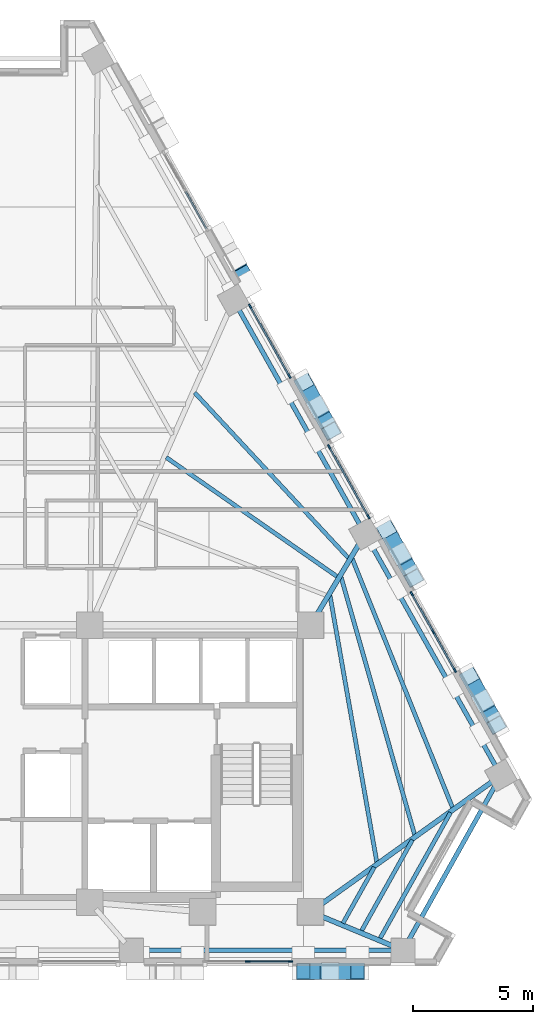
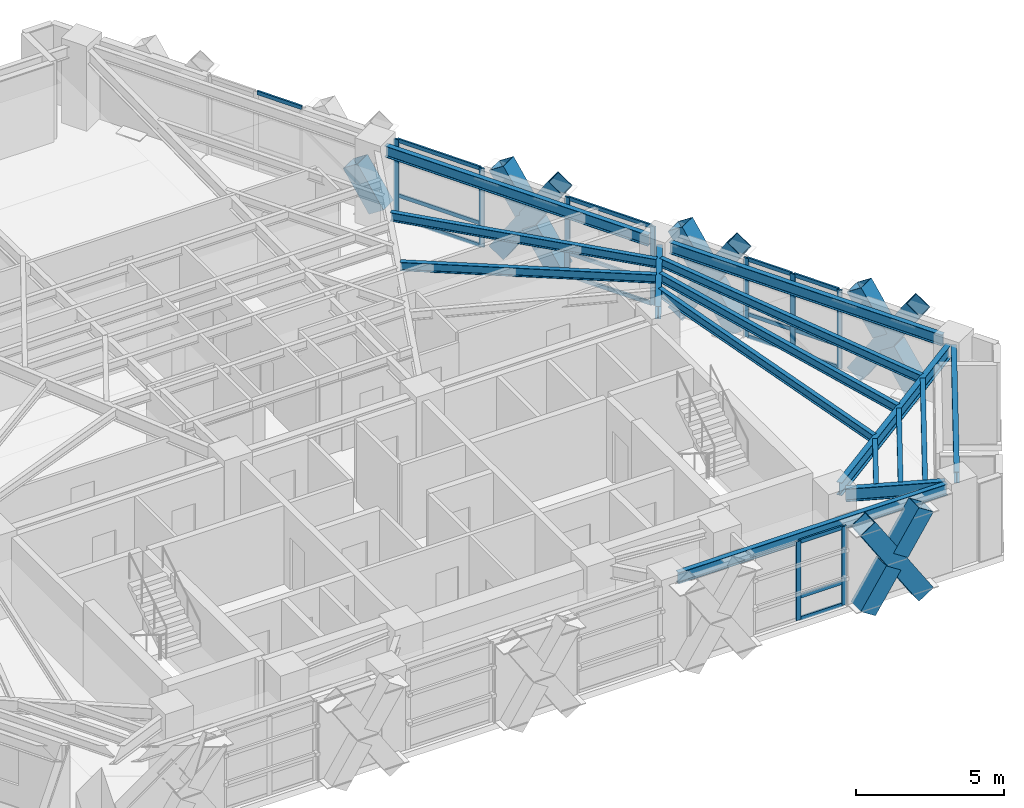
# One storey, part 4 of 14: 38 members, 15 beams, 5 elements without a shape of their own.
"""IFC4 building model written with IfcOpenShell, lengths in metres."""

from ifc_helpers import new_model, si_unit, direction, frame, origin, origin_2d, place, context, subcontext, project, spatial, rectangle, hollow_rectangle, i_section, extrude, material, material_profile, profile_set, type_object, element, aggregate, save


model = new_model("IFC4")

# Units and contexts
model_context = context("Model", 3, precision=1e-05, world=origin(), true_north=direction((0.0, 1.0)))
body_context = subcontext(model_context, "Body", "Model", "MODEL_VIEW")
ifc_project = project(units=[si_unit("LENGTHUNIT", "METRE"), si_unit("AREAUNIT", "SQUARE_METRE"), si_unit("VOLUMEUNIT", "CUBIC_METRE"), si_unit("PLANEANGLEUNIT", "RADIAN"), si_unit("MASSUNIT", "GRAM", prefix="KILO")], contexts=[model_context])

# Site, building, storey
site_placement = place(None, origin())
site = spatial("IfcSite", under=ifc_project, at=site_placement, CompositionType="ELEMENT")
building_placement = place(site_placement, origin())
building = spatial("IfcBuilding", under=site, at=building_placement, Name="Quenlor Broadcast Tower", CompositionType="ELEMENT")
storey_placement = place(building_placement, frame((0.0, 0.0, 165.0)))
storey = spatial("IfcBuildingStorey", under=building, at=storey_placement, Name="L45", CompositionType="ELEMENT", Elevation=165.0)

# Curtain wall, members
ifc_material_1 = material(Name="Architectural Terracotta and Low-E Glazing", Category="masonry")
curtain_wall_type = type_object("IfcCurtainWallType", Name="Unitised Terracotta Curtain Wall System Z3", PredefinedType="NOTDEFINED", material=ifc_material_1)
curtain_wall_1_placement = place(storey_placement, origin())
curtain_wall_1 = element("IfcCurtainWall", 1, at=curtain_wall_1_placement, inside=storey, type_object=curtain_wall_type, Name="L45 Curtain Wall CW3 (L45-SA-G1)", PredefinedType="NOTDEFINED")
ifc_material_2 = material(Name="Aluminium 6063-T6", Category="aluminium")
ifc_material_profile_1 = material_profile(ifc_material_2, rectangle(XDim=0.070068359375, YDim=0.18994140625, at=origin_2d()))
ifc_profile_set_1 = profile_set([ifc_material_profile_1], Name="Aluminium 6063-T6 MULL70x190")
member_type_1 = type_object("IfcMemberType", Name="CW3 Aluminium Mullion MULL_CW3", PredefinedType="MULLION", material=ifc_profile_set_1)
member_1_placement = place(storey_placement, frame((12.114013671875, -18.824951171875, 0.0), z_axis=(0.0, 0.0, 1.0), x_axis=(0.0, -1.0, 0.0)))
member_1 = element("IfcMember", 2, at=member_1_placement, type_object=member_type_1, Name="CW3 mullion 1", PredefinedType="MULLION", context=body_context, shape_type="SweptSolid", body=[
    extrude(rectangle(XDim=0.070068359375, YDim=0.18994140625, at=origin_2d()), origin(), (0.0, 0.0, 1.0), 3.25),
])
member_2_placement = place(storey_placement, frame((10.33203125, -18.824951171875, 0.0), z_axis=(0.0, 0.0, 1.0), x_axis=(0.0, -1.0, 0.0)))
member_2 = element("IfcMember", 3, at=member_2_placement, type_object=member_type_1, Name="CW3 mullion 2", PredefinedType="MULLION", context=body_context, shape_type="SweptSolid", body=[
    extrude(rectangle(XDim=0.070068359375, YDim=0.18994140625, at=origin_2d()), origin(), (0.0, 0.0, 1.0), 3.25),
])

curtain_wall_2_placement = place(storey_placement, origin())
curtain_wall_2 = element("IfcCurtainWall", 4, at=curtain_wall_2_placement, inside=storey, type_object=curtain_wall_type, Name="L45 Curtain Wall CW3 (L45-NEC-G1)", PredefinedType="NOTDEFINED")
member_3_placement = place(storey_placement, frame((17.17138671875, -3.48388671875, 0.0), z_axis=(0.0, 0.0, 1.0), x_axis=(0.871576967495, 0.490258696743, 0.0)))
member_3 = element("IfcMember", 5, at=member_3_placement, type_object=member_type_1, Name="CW3 mullion 1", PredefinedType="MULLION", context=body_context, shape_type="SweptSolid", body=[
    extrude(rectangle(XDim=0.070068359375, YDim=0.18994140625, at=origin_2d()), origin(), (0.0, 0.0, 1.0), 3.25),
])
member_4_placement = place(storey_placement, frame((18.069580078125, -5.080810546875, 0.0), z_axis=(0.0, 0.0, 1.0), x_axis=(0.871576967495, 0.490258696743, 0.0)))
member_4 = element("IfcMember", 6, at=member_4_placement, type_object=member_type_1, Name="CW3 mullion 2", PredefinedType="MULLION", context=body_context, shape_type="SweptSolid", body=[
    extrude(rectangle(XDim=0.070068359375, YDim=0.18994140625, at=origin_2d()), origin(), (0.0, 0.0, 1.0), 3.25),
])
member_5_placement = place(storey_placement, frame((18.9677734375, -6.677490234375, 0.0), z_axis=(0.0, 0.0, 1.0), x_axis=(0.871576967495, 0.490258696743, 0.0)))
member_5 = element("IfcMember", 7, at=member_5_placement, type_object=member_type_1, Name="CW3 mullion 3", PredefinedType="MULLION", context=body_context, shape_type="SweptSolid", body=[
    extrude(rectangle(XDim=0.070068359375, YDim=0.18994140625, at=origin_2d()), origin(), (0.0, 0.0, 1.0), 3.25),
])

curtain_wall_3_placement = place(storey_placement, origin())
curtain_wall_3 = element("IfcCurtainWall", 8, at=curtain_wall_3_placement, inside=storey, type_object=curtain_wall_type, Name="L45 Curtain Wall CW3 (L45-NE-G1)", PredefinedType="NOTDEFINED")
member_6_placement = place(storey_placement, frame((10.428955078125, 8.50244140625, 0.0), z_axis=(0.0, 0.0, 1.0), x_axis=(0.871578660222, 0.490255687418, 0.0)))
member_6 = element("IfcMember", 9, at=member_6_placement, type_object=member_type_1, Name="CW3 mullion 1", PredefinedType="MULLION", context=body_context, shape_type="SweptSolid", body=[
    extrude(rectangle(XDim=0.070068359375, YDim=0.18994140625, at=origin_2d()), origin(), (0.0, 0.0, 1.0), 3.25),
])
member_7_placement = place(storey_placement, frame((12.071533203125, 5.582275390625, 0.0), z_axis=(0.0, 0.0, 1.0), x_axis=(0.871578660222, 0.490255687418, 0.0)))
member_7 = element("IfcMember", 10, at=member_7_placement, type_object=member_type_1, Name="CW3 mullion 2", PredefinedType="MULLION", context=body_context, shape_type="SweptSolid", body=[
    extrude(rectangle(XDim=0.070068359375, YDim=0.18994140625, at=origin_2d()), origin(), (0.0, 0.0, 1.0), 3.25),
])

curtain_wall_4_placement = place(storey_placement, origin())
curtain_wall_4 = element("IfcCurtainWall", 11, at=curtain_wall_4_placement, inside=storey, type_object=curtain_wall_type, Name="L45 Curtain Wall CW3 (L45-NE-G2)", PredefinedType="NOTDEFINED")
member_8_placement = place(storey_placement, frame((13.723388671875, 2.64599609375, 0.0), z_axis=(0.0, 0.0, 1.0), x_axis=(0.871571633105, 0.490268180048, 0.0)))
member_8 = element("IfcMember", 12, at=member_8_placement, type_object=member_type_1, Name="CW3 mullion 1", PredefinedType="MULLION", context=body_context, shape_type="SweptSolid", body=[
    extrude(rectangle(XDim=0.070068359375, YDim=0.18994140625, at=origin_2d()), origin(), (0.0, 0.0, 1.0), 3.25),
])
member_9_placement = place(storey_placement, frame((15.365966796875, -0.274169921875, 0.0), z_axis=(0.0, 0.0, 1.0), x_axis=(0.871571633105, 0.490268180048, 0.0)))
member_9 = element("IfcMember", 13, at=member_9_placement, type_object=member_type_1, Name="CW3 mullion 2", PredefinedType="MULLION", context=body_context, shape_type="SweptSolid", body=[
    extrude(rectangle(XDim=0.070068359375, YDim=0.18994140625, at=origin_2d()), origin(), (0.0, 0.0, 1.0), 3.25),
])

# Member
ifc_material_3 = material(Name="Aluminium 6063-T6", Category="aluminium")
ifc_material_profile_2 = material_profile(ifc_material_3, rectangle(XDim=0.070068359375, YDim=0.155029296875, at=origin_2d()))
ifc_profile_set_2 = profile_set([ifc_material_profile_2], Name="Aluminium 6063-T6 TRAN70x155")
member_type_2 = type_object("IfcMemberType", Name="CW3 Aluminium Transom TRAN_CW3", PredefinedType="USERDEFINED", material=ifc_profile_set_2)
member_10_placement = place(storey_placement, frame((12.0791015625, -18.824951171875, 0.034912109375), z_axis=(-1.0, 0.0, 0.0), x_axis=(0.0, -1.0, 0.0)))
member_10 = element("IfcMember", 14, at=member_10_placement, type_object=member_type_2, Name="CW3 transom 1.1", ObjectType="TRANSOM", PredefinedType="USERDEFINED", context=body_context, shape_type="SweptSolid", body=[
    extrude(rectangle(XDim=0.070068359375, YDim=0.155029296875, at=origin_2d()), origin(), (0.0, 0.0, 1.0), 1.712158203125),
])

member_11_placement = place(storey_placement, frame((12.0791015625, -18.824951171875, 0.949951171875), z_axis=(-1.0, 0.0, 0.0), x_axis=(0.0, -1.0, 0.0)))
member_11 = element("IfcMember", 15, at=member_11_placement, type_object=member_type_2, Name="CW3 transom 1.2", ObjectType="TRANSOM", PredefinedType="USERDEFINED", context=body_context, shape_type="SweptSolid", body=[
    extrude(rectangle(XDim=0.070068359375, YDim=0.155029296875, at=origin_2d()), origin(), (0.0, 0.0, 1.0), 1.712158203125),
])

member_12_placement = place(storey_placement, frame((12.0791015625, -18.824951171875, 3.215087890625), z_axis=(-1.0, 0.0, 0.0), x_axis=(0.0, -1.0, 0.0)))
member_12 = element("IfcMember", 16, at=member_12_placement, type_object=member_type_2, Name="CW3 transom 1.3", ObjectType="TRANSOM", PredefinedType="USERDEFINED", context=body_context, shape_type="SweptSolid", body=[
    extrude(rectangle(XDim=0.070068359375, YDim=0.155029296875, at=origin_2d()), origin(), (0.0, 0.0, 1.0), 1.712158203125),
])

aggregate(curtain_wall_1, [member_1, member_2, member_10, member_11, member_12])

# Curtain wall, member
curtain_wall_5_placement = place(storey_placement, origin())
curtain_wall_5 = element("IfcCurtainWall", 17, at=curtain_wall_5_placement, inside=storey, type_object=curtain_wall_type, Name="L45 Curtain Wall CW3 (L45-NEA-G1)", PredefinedType="NOTDEFINED")
member_13_placement = place(storey_placement, frame((7.742431640625, 13.278564453125, 3.215087890625), z_axis=(0.490353334151, -0.871523727553, 0.0), x_axis=(0.871523727553, 0.490353334151, 0.0)))
member_13 = element("IfcMember", 18, at=member_13_placement, type_object=member_type_2, Name="CW3 transom 2.3", ObjectType="TRANSOM", PredefinedType="USERDEFINED", context=body_context, shape_type="SweptSolid", body=[
    extrude(rectangle(XDim=0.070068359375, YDim=0.155029296875, at=origin_2d()), origin(), (0.0, 0.0, 1.0), 1.761962890625),
])
aggregate(curtain_wall_5, [member_13])

# Member
member_14_placement = place(storey_placement, frame((17.188720703125, -3.514404296875, 0.034912109375), z_axis=(0.490188879637, -0.871616235668, 0.0), x_axis=(0.871616235668, 0.490188879637, 0.0)))
member_14 = element("IfcMember", 19, at=member_14_placement, type_object=member_type_2, Name="CW3 transom 1.1", ObjectType="TRANSOM", PredefinedType="USERDEFINED", context=body_context, shape_type="SweptSolid", body=[
    extrude(rectangle(XDim=0.070068359375, YDim=0.155029296875, at=origin_2d()), origin(), (0.0, 0.0, 1.0), 1.76220703125),
])

member_15_placement = place(storey_placement, frame((17.188720703125, -3.514404296875, 0.949951171875), z_axis=(0.490188879637, -0.871616235668, 0.0), x_axis=(0.871616235668, 0.490188879637, 0.0)))
member_15 = element("IfcMember", 20, at=member_15_placement, type_object=member_type_2, Name="CW3 transom 1.2", ObjectType="TRANSOM", PredefinedType="USERDEFINED", context=body_context, shape_type="SweptSolid", body=[
    extrude(rectangle(XDim=0.070068359375, YDim=0.155029296875, at=origin_2d()), origin(), (0.0, 0.0, 1.0), 1.76220703125),
])

member_16_placement = place(storey_placement, frame((17.188720703125, -3.514404296875, 3.215087890625), z_axis=(0.490188879637, -0.871616235668, 0.0), x_axis=(0.871616235668, 0.490188879637, 0.0)))
member_16 = element("IfcMember", 21, at=member_16_placement, type_object=member_type_2, Name="CW3 transom 1.3", ObjectType="TRANSOM", PredefinedType="USERDEFINED", context=body_context, shape_type="SweptSolid", body=[
    extrude(rectangle(XDim=0.070068359375, YDim=0.155029296875, at=origin_2d()), origin(), (0.0, 0.0, 1.0), 1.76220703125),
])

member_17_placement = place(storey_placement, frame((18.0869140625, -5.111083984375, 0.034912109375), z_axis=(0.490188879637, -0.871616235668, 0.0), x_axis=(0.871616235668, 0.490188879637, 0.0)))
member_17 = element("IfcMember", 22, at=member_17_placement, type_object=member_type_2, Name="CW3 transom 2.1", ObjectType="TRANSOM", PredefinedType="USERDEFINED", context=body_context, shape_type="SweptSolid", body=[
    extrude(rectangle(XDim=0.070068359375, YDim=0.155029296875, at=origin_2d()), origin(), (0.0, 0.0, 1.0), 1.76220703125),
])

member_18_placement = place(storey_placement, frame((18.0869140625, -5.111083984375, 0.949951171875), z_axis=(0.490188879637, -0.871616235668, 0.0), x_axis=(0.871616235668, 0.490188879637, 0.0)))
member_18 = element("IfcMember", 23, at=member_18_placement, type_object=member_type_2, Name="CW3 transom 2.2", ObjectType="TRANSOM", PredefinedType="USERDEFINED", context=body_context, shape_type="SweptSolid", body=[
    extrude(rectangle(XDim=0.070068359375, YDim=0.155029296875, at=origin_2d()), origin(), (0.0, 0.0, 1.0), 1.76220703125),
])

member_19_placement = place(storey_placement, frame((18.0869140625, -5.111083984375, 3.215087890625), z_axis=(0.490188879637, -0.871616235668, 0.0), x_axis=(0.871616235668, 0.490188879637, 0.0)))
member_19 = element("IfcMember", 24, at=member_19_placement, type_object=member_type_2, Name="CW3 transom 2.3", ObjectType="TRANSOM", PredefinedType="USERDEFINED", context=body_context, shape_type="SweptSolid", body=[
    extrude(rectangle(XDim=0.070068359375, YDim=0.155029296875, at=origin_2d()), origin(), (0.0, 0.0, 1.0), 1.76220703125),
])

aggregate(curtain_wall_2, [member_3, member_4, member_5, member_14, member_15, member_16, member_17, member_18, member_19])

member_20_placement = place(storey_placement, frame((10.4462890625, 8.471923828125, 0.034912109375), z_axis=(0.490236504766, -0.871589450025, 0.0), x_axis=(0.871589450025, 0.490236504766, 0.0)))
member_20 = element("IfcMember", 25, at=member_20_placement, type_object=member_type_2, Name="CW3 transom 1.1", ObjectType="TRANSOM", PredefinedType="USERDEFINED", context=body_context, shape_type="SweptSolid", body=[
    extrude(rectangle(XDim=0.070068359375, YDim=0.155029296875, at=origin_2d()), origin(), (0.0, 0.0, 1.0), 3.2802734375),
])

member_21_placement = place(storey_placement, frame((10.4462890625, 8.471923828125, 0.949951171875), z_axis=(0.490236504766, -0.871589450025, 0.0), x_axis=(0.871589450025, 0.490236504766, 0.0)))
member_21 = element("IfcMember", 26, at=member_21_placement, type_object=member_type_2, Name="CW3 transom 1.2", ObjectType="TRANSOM", PredefinedType="USERDEFINED", context=body_context, shape_type="SweptSolid", body=[
    extrude(rectangle(XDim=0.070068359375, YDim=0.155029296875, at=origin_2d()), origin(), (0.0, 0.0, 1.0), 3.2802734375),
])

member_22_placement = place(storey_placement, frame((10.4462890625, 8.471923828125, 3.215087890625), z_axis=(0.490236504766, -0.871589450025, 0.0), x_axis=(0.871589450025, 0.490236504766, 0.0)))
member_22 = element("IfcMember", 27, at=member_22_placement, type_object=member_type_2, Name="CW3 transom 1.3", ObjectType="TRANSOM", PredefinedType="USERDEFINED", context=body_context, shape_type="SweptSolid", body=[
    extrude(rectangle(XDim=0.070068359375, YDim=0.155029296875, at=origin_2d()), origin(), (0.0, 0.0, 1.0), 3.2802734375),
])

aggregate(curtain_wall_3, [member_6, member_7, member_20, member_21, member_22])

member_23_placement = place(storey_placement, frame((13.740478515625, 2.615478515625, 0.034912109375), z_axis=(0.490293039863, -0.871557648731, 0.0), x_axis=(0.871557648731, 0.490293039863, 0.0)))
member_23 = element("IfcMember", 28, at=member_23_placement, type_object=member_type_2, Name="CW3 transom 1.1", ObjectType="TRANSOM", PredefinedType="USERDEFINED", context=body_context, shape_type="SweptSolid", body=[
    extrude(rectangle(XDim=0.070068359375, YDim=0.155029296875, at=origin_2d()), origin(), (0.0, 0.0, 1.0), 3.280517578125),
])

member_24_placement = place(storey_placement, frame((13.740478515625, 2.615478515625, 0.949951171875), z_axis=(0.490293039863, -0.871557648731, 0.0), x_axis=(0.871557648731, 0.490293039863, 0.0)))
member_24 = element("IfcMember", 29, at=member_24_placement, type_object=member_type_2, Name="CW3 transom 1.2", ObjectType="TRANSOM", PredefinedType="USERDEFINED", context=body_context, shape_type="SweptSolid", body=[
    extrude(rectangle(XDim=0.070068359375, YDim=0.155029296875, at=origin_2d()), origin(), (0.0, 0.0, 1.0), 3.280517578125),
])

member_25_placement = place(storey_placement, frame((13.740478515625, 2.615478515625, 3.215087890625), z_axis=(0.490293039863, -0.871557648731, 0.0), x_axis=(0.871557648731, 0.490293039863, 0.0)))
member_25 = element("IfcMember", 30, at=member_25_placement, type_object=member_type_2, Name="CW3 transom 1.3", ObjectType="TRANSOM", PredefinedType="USERDEFINED", context=body_context, shape_type="SweptSolid", body=[
    extrude(rectangle(XDim=0.070068359375, YDim=0.155029296875, at=origin_2d()), origin(), (0.0, 0.0, 1.0), 3.280517578125),
])

aggregate(curtain_wall_4, [member_8, member_9, member_23, member_24, member_25])

# Members
ifc_material_4 = material(Name="Steel S355", Category="steel")
ifc_material_profile_3 = material_profile(ifc_material_4, hollow_rectangle(XDim=0.679931640625, YDim=0.679931640625, WallThickness=0.02490234375, at=origin_2d()))
ifc_profile_set_3 = profile_set([ifc_material_profile_3], Name="Steel S355 RHS680x680x25")
member_type_3 = type_object("IfcMemberType", Name="Perimeter Diagonal Lattice Brace Z3-Z4 Steel S355 RHS680x25", PredefinedType="BRACE", material=ifc_profile_set_3)
member_26_placement = place(storey_placement, frame((14.91015625, -19.219970703125, -0.1201171875), z_axis=(-0.543860340502, 0.0, 0.839175744424), x_axis=(0.0, -1.0, 0.0)))
element("IfcMember", 31, at=member_26_placement, inside=storey, type_object=member_type_3, Name="L45 Perimeter Diamond Lattice S-C1XA", PredefinedType="BRACE", context=body_context, shape_type="SweptSolid", body=[
    extrude(hollow_rectangle(XDim=0.679931640625, YDim=0.679931640625, WallThickness=0.02490234375, at=origin_2d()), origin(), (0.0, 0.0, 1.0), 4.170654296875),
])
member_27_placement = place(storey_placement, frame((12.641845703125, -19.219970703125, -0.1201171875), z_axis=(0.543786168213, 0.0, 0.839223809994), x_axis=(0.0, 1.0, 0.0)))
element("IfcMember", 32, at=member_27_placement, inside=storey, type_object=member_type_3, Name="L45 Perimeter Diamond Lattice S-C1XB1", PredefinedType="BRACE", context=body_context, shape_type="SweptSolid", body=[
    extrude(hollow_rectangle(XDim=0.679931640625, YDim=0.679931640625, WallThickness=0.02490234375, at=origin_2d()), origin(), (0.0, 0.0, 1.0), 1.83544921875),
])
member_28_placement = place(storey_placement, frame((13.912109375, -19.219970703125, 1.83984375), z_axis=(0.543846878394, 0.0, 0.839184468911), x_axis=(0.0, 1.0, 0.0)))
element("IfcMember", 33, at=member_28_placement, inside=storey, type_object=member_type_3, Name="L45 Perimeter Diamond Lattice S-C1XB2", PredefinedType="BRACE", context=body_context, shape_type="SweptSolid", body=[
    extrude(hollow_rectangle(XDim=0.679931640625, YDim=0.679931640625, WallThickness=0.02490234375, at=origin_2d()), origin(), (0.0, 0.0, 1.0), 1.835205078125),
])
member_29_placement = place(storey_placement, frame((10.361572265625, 9.428466796875, -0.1201171875), z_axis=(-0.270633624024, 0.480906307989, 0.833958370954), x_axis=(-0.871479637717, -0.49043168846, 0.0)))
element("IfcMember", 34, at=member_29_placement, inside=storey, type_object=member_type_3, Name="L45 Perimeter Diamond Lattice NE-C2XB1", PredefinedType="BRACE", context=body_context, shape_type="SweptSolid", body=[
    extrude(hollow_rectangle(XDim=0.679931640625, YDim=0.679931640625, WallThickness=0.02490234375, at=origin_2d()), origin(), (0.0, 0.0, 1.0), 1.848388671875),
])
member_30_placement = place(storey_placement, frame((12.674072265625, 5.317138671875, -0.1201171875), z_axis=(0.270556764115, -0.480963948764, 0.833950068878), x_axis=(0.871564276035, 0.49028125881, 0.0)))
element("IfcMember", 35, at=member_30_placement, inside=storey, type_object=member_type_3, Name="L45 Perimeter Diamond Lattice NE-C3XA", PredefinedType="BRACE", context=body_context, shape_type="SweptSolid", body=[
    extrude(hollow_rectangle(XDim=0.679931640625, YDim=0.679931640625, WallThickness=0.02490234375, at=origin_2d()), origin(), (0.0, 0.0, 1.0), 4.19677734375),
])
member_31_placement = place(storey_placement, frame((13.8095703125, 3.298583984375, -0.1201171875), z_axis=(-0.270633624024, 0.480906307989, 0.833958370954), x_axis=(-0.871479637717, -0.49043168846, 0.0)))
element("IfcMember", 36, at=member_31_placement, inside=storey, type_object=member_type_3, Name="L45 Perimeter Diamond Lattice NE-C3XB1", PredefinedType="BRACE", context=body_context, shape_type="SweptSolid", body=[
    extrude(hollow_rectangle(XDim=0.679931640625, YDim=0.679931640625, WallThickness=0.02490234375, at=origin_2d()), origin(), (0.0, 0.0, 1.0), 1.848388671875),
])
member_32_placement = place(storey_placement, frame((13.17431640625, 4.427978515625, 1.83837890625), z_axis=(-0.270616433058, 0.481007832697, 0.833905396938), x_axis=(-0.871537189362, -0.490329407194, 0.0)))
element("IfcMember", 37, at=member_32_placement, inside=storey, type_object=member_type_3, Name="L45 Perimeter Diamond Lattice NE-C3XB2", PredefinedType="BRACE", context=body_context, shape_type="SweptSolid", body=[
    extrude(hollow_rectangle(XDim=0.679931640625, YDim=0.679931640625, WallThickness=0.02490234375, at=origin_2d()), origin(), (0.0, 0.0, 1.0), 1.8486328125),
])
member_33_placement = place(storey_placement, frame((16.1220703125, -0.812744140625, -0.1201171875), z_axis=(0.2705491942, -0.481008661973, 0.833926735766), x_axis=(0.871589611547, 0.490236217596, 0.0)))
element("IfcMember", 38, at=member_33_placement, inside=storey, type_object=member_type_3, Name="L45 Perimeter Diamond Lattice NE-C4XA", PredefinedType="BRACE", context=body_context, shape_type="SweptSolid", body=[
    extrude(hollow_rectangle(XDim=0.679931640625, YDim=0.679931640625, WallThickness=0.02490234375, at=origin_2d()), origin(), (0.0, 0.0, 1.0), 4.197021484375),
])
member_34_placement = place(storey_placement, frame((17.257568359375, -2.83154296875, -0.1201171875), z_axis=(-0.270494026149, 0.481025021111, 0.833935195853), x_axis=(-0.871639445711, -0.490147607034, 0.0)))
element("IfcMember", 39, at=member_34_placement, inside=storey, type_object=member_type_3, Name="L45 Perimeter Diamond Lattice NE-C4XB1", PredefinedType="BRACE", context=body_context, shape_type="SweptSolid", body=[
    extrude(hollow_rectangle(XDim=0.679931640625, YDim=0.679931640625, WallThickness=0.02490234375, at=origin_2d()), origin(), (0.0, 0.0, 1.0), 1.848388671875),
])
member_35_placement = place(storey_placement, frame((16.622314453125, -1.701904296875, 1.83837890625), z_axis=(-0.270616433058, 0.481007832697, 0.833905396938), x_axis=(-0.871537189362, -0.490329407194, 0.0)))
element("IfcMember", 40, at=member_35_placement, inside=storey, type_object=member_type_3, Name="L45 Perimeter Diamond Lattice NE-C4XB2", PredefinedType="BRACE", context=body_context, shape_type="SweptSolid", body=[
    extrude(hollow_rectangle(XDim=0.679931640625, YDim=0.679931640625, WallThickness=0.02490234375, at=origin_2d()), origin(), (0.0, 0.0, 1.0), 1.8486328125),
])
member_36_placement = place(storey_placement, frame((19.5703125, -6.942626953125, -0.1201171875), z_axis=(0.2705491942, -0.481008661973, 0.833926735766), x_axis=(0.871589611547, 0.490236217596, 0.0)))
element("IfcMember", 41, at=member_36_placement, inside=storey, type_object=member_type_3, Name="L45 Perimeter Diamond Lattice NE-C5XA", PredefinedType="BRACE", context=body_context, shape_type="SweptSolid", body=[
    extrude(hollow_rectangle(XDim=0.679931640625, YDim=0.679931640625, WallThickness=0.02490234375, at=origin_2d()), origin(), (0.0, 0.0, 1.0), 4.197021484375),
])
member_37_placement = place(storey_placement, frame((20.705810546875, -8.96142578125, -0.1201171875), z_axis=(-0.270616433058, 0.481007832697, 0.833905396938), x_axis=(-0.871537189362, -0.490329407194, 0.0)))
element("IfcMember", 42, at=member_37_placement, inside=storey, type_object=member_type_3, Name="L45 Perimeter Diamond Lattice NE-C5XB1", PredefinedType="BRACE", context=body_context, shape_type="SweptSolid", body=[
    extrude(hollow_rectangle(XDim=0.679931640625, YDim=0.679931640625, WallThickness=0.02490234375, at=origin_2d()), origin(), (0.0, 0.0, 1.0), 1.8486328125),
])
member_38_placement = place(storey_placement, frame((20.0703125, -7.831787109375, 1.83837890625), z_axis=(-0.270494026149, 0.481025021111, 0.833935195853), x_axis=(-0.871639445711, -0.490147607034, 0.0)))
element("IfcMember", 43, at=member_38_placement, inside=storey, type_object=member_type_3, Name="L45 Perimeter Diamond Lattice NE-C5XB2", PredefinedType="BRACE", context=body_context, shape_type="SweptSolid", body=[
    extrude(hollow_rectangle(XDim=0.679931640625, YDim=0.679931640625, WallThickness=0.02490234375, at=origin_2d()), origin(), (0.0, 0.0, 1.0), 1.848388671875),
])

# Beams
ifc_material_5 = material(Name="Steel S355", Category="steel")
ifc_material_profile_4 = material_profile(ifc_material_5, i_section(OverallWidth=0.19091796875, OverallDepth=0.46044921875, WebThickness=0.010009765625, FlangeThickness=0.01611328125, FilletRadius=0.011474609375, at=origin_2d()))
ifc_profile_set_4 = profile_set([ifc_material_profile_4], Name="Steel S355 460UB82.1")
beam_type_1 = type_object("IfcBeamType", Name="Perimeter Spandrel Beam Z3 Steel S355 460UB82.1", PredefinedType="SPANDREL", material=ifc_profile_set_4)
beam_1_placement = place(storey_placement, frame((5.89111328125, -18.35009765625, 3.019775390625), z_axis=(1.0, 0.0, 0.0), x_axis=(0.0, 1.0, 0.0)))
element("IfcBeam", 44, at=beam_1_placement, inside=storey, type_object=beam_type_1, Name="L45 Spandrel Beam S3-S4", PredefinedType="SPANDREL", context=body_context, shape_type="SweptSolid", body=[
    extrude(i_section(OverallWidth=0.19091796875, OverallDepth=0.46044921875, WebThickness=0.010009765625, FlangeThickness=0.01611328125, FilletRadius=0.011474609375, at=origin_2d()), origin(), (0.0, 0.0, 1.0), 10.50732421875),
])
beam_2_placement = place(storey_placement, frame((17.008544921875, -17.9921875, 3.019775390625), z_axis=(0.488298439934, 0.872676706208, 0.0), x_axis=(-0.872676706208, 0.488298439934, 0.0)))
element("IfcBeam", 45, at=beam_2_placement, inside=storey, type_object=beam_type_1, Name="L45 Spandrel Beam S4-NE1", PredefinedType="SPANDREL", context=body_context, shape_type="SweptSolid", body=[
    extrude(i_section(OverallWidth=0.19091796875, OverallDepth=0.46044921875, WebThickness=0.010009765625, FlangeThickness=0.01611328125, FilletRadius=0.011474609375, at=origin_2d()), origin(), (0.0, 0.0, 1.0), 7.5341796875),
])
beam_3_placement = place(storey_placement, frame((20.686767578125, -10.7021484375, 3.019775390625), z_axis=(-0.490257999604, 0.871577359633, 0.0), x_axis=(-0.871577359633, -0.490257999604, 0.0)))
element("IfcBeam", 46, at=beam_3_placement, inside=storey, type_object=beam_type_1, Name="L45 Spandrel Beam NE1-NE2", PredefinedType="SPANDREL", context=body_context, shape_type="SweptSolid", body=[
    extrude(i_section(OverallWidth=0.19091796875, OverallDepth=0.46044921875, WebThickness=0.010009765625, FlangeThickness=0.01611328125, FilletRadius=0.011474609375, at=origin_2d()), origin(), (0.0, 0.0, 1.0), 10.732666015625),
])
beam_4_placement = place(storey_placement, frame((15.02294921875, -0.63330078125, 3.019775390625), z_axis=(-0.490252288562, 0.871580572041, 0.0), x_axis=(-0.871580572041, -0.490252288562, 0.0)))
element("IfcBeam", 47, at=beam_4_placement, inside=storey, type_object=beam_type_1, Name="L45 Spandrel Beam NE2-NE3", PredefinedType="SPANDREL", context=body_context, shape_type="SweptSolid", body=[
    extrude(i_section(OverallWidth=0.19091796875, OverallDepth=0.46044921875, WebThickness=0.010009765625, FlangeThickness=0.01611328125, FilletRadius=0.011474609375, at=origin_2d()), origin(), (0.0, 0.0, 1.0), 10.359619140625),
])
ifc_material_6 = material(Name="Steel S355", Category="steel")
ifc_material_profile_5 = material_profile(ifc_material_6, i_section(OverallWidth=0.172119140625, OverallDepth=0.358642578125, WebThickness=0.008056640625, FlangeThickness=0.012939453125, FilletRadius=0.011474609375, at=origin_2d()))
ifc_profile_set_5 = profile_set([ifc_material_profile_5], Name="Steel S355 360UB56.7")
beam_type_2 = type_object("IfcBeamType", Name="Tower Composite Joist Z2-Z3 Steel S355 360UB56.7", PredefinedType="JOIST", material=ifc_profile_set_5)
beam_5_placement = place(storey_placement, frame((14.06689453125, -2.7734375, 3.07080078125), z_axis=(-0.82026568394, 0.57198269882, 0.0), x_axis=(-0.57198269882, -0.82026568394, 0.0)))
element("IfcBeam", 48, at=beam_5_placement, inside=storey, type_object=beam_type_2, Name="L45 Secondary Composite Joist 11", PredefinedType="JOIST", context=body_context, shape_type="SweptSolid", body=[
    extrude(i_section(OverallWidth=0.172119140625, OverallDepth=0.358642578125, WebThickness=0.008056640625, FlangeThickness=0.012939453125, FilletRadius=0.011474609375, at=origin_2d()), origin(), (0.0, 0.0, 1.0), 8.698486328125),
])
beam_6_placement = place(storey_placement, frame((14.53271484375, -1.998779296875, 3.07080078125), z_axis=(-0.680873505991, 0.732401030065, 0.0), x_axis=(-0.732401030065, -0.680873505991, 0.0)))
element("IfcBeam", 49, at=beam_6_placement, inside=storey, type_object=beam_type_2, Name="L45 Secondary Composite Joist 12", PredefinedType="JOIST", context=body_context, shape_type="SweptSolid", body=[
    extrude(i_section(OverallWidth=0.172119140625, OverallDepth=0.358642578125, WebThickness=0.008056640625, FlangeThickness=0.012939453125, FilletRadius=0.011474609375, at=origin_2d()), origin(), (0.0, 0.0, 1.0), 9.419189453125),
])
beam_7_placement = place(storey_placement, frame((15.71435546875, -14.679443359375, 3.07080078125), z_axis=(-0.172906811417, 0.984938188195, 0.0), x_axis=(-0.984938188195, -0.172906811417, 0.0)))
element("IfcBeam", 50, at=beam_7_placement, inside=storey, type_object=beam_type_2, Name="L45 Secondary Composite Joist 16", PredefinedType="JOIST", context=body_context, shape_type="SweptSolid", body=[
    extrude(i_section(OverallWidth=0.172119140625, OverallDepth=0.358642578125, WebThickness=0.008056640625, FlangeThickness=0.012939453125, FilletRadius=0.011474609375, at=origin_2d()), origin(), (0.0, 0.0, 1.0), 11.30419921875),
])
beam_8_placement = place(storey_placement, frame((17.293701171875, -13.543212890625, 3.07080078125), z_axis=(-0.274418577045, 0.961610339261, 0.0), x_axis=(-0.961610339261, -0.274418577045, 0.0)))
element("IfcBeam", 51, at=beam_8_placement, inside=storey, type_object=beam_type_2, Name="L45 Secondary Composite Joist 17", PredefinedType="JOIST", context=body_context, shape_type="SweptSolid", body=[
    extrude(i_section(OverallWidth=0.172119140625, OverallDepth=0.358642578125, WebThickness=0.008056640625, FlangeThickness=0.012939453125, FilletRadius=0.011474609375, at=origin_2d()), origin(), (0.0, 0.0, 1.0), 11.191162109375),
])
beam_9_placement = place(storey_placement, frame((18.873291015625, -12.407958984375, 3.07080078125), z_axis=(-0.373824118901, 0.927499610851, 0.0), x_axis=(-0.927499610851, -0.373824118901, 0.0)))
element("IfcBeam", 52, at=beam_9_placement, inside=storey, type_object=beam_type_2, Name="L45 Secondary Composite Joist 18", PredefinedType="JOIST", context=body_context, shape_type="SweptSolid", body=[
    extrude(i_section(OverallWidth=0.172119140625, OverallDepth=0.358642578125, WebThickness=0.008056640625, FlangeThickness=0.012939453125, FilletRadius=0.011474609375, at=origin_2d()), origin(), (0.0, 0.0, 1.0), 11.203125),
])
beam_10_placement = place(storey_placement, frame((14.30078125, -17.22412109375, 3.07080078125), z_axis=(0.488370382241, 0.87263644764, 0.0), x_axis=(-0.87263644764, 0.488370382241, 0.0)))
element("IfcBeam", 53, at=beam_10_placement, inside=storey, type_object=beam_type_2, Name="L45 Secondary Composite Joist 22", PredefinedType="JOIST", context=body_context, shape_type="SweptSolid", body=[
    extrude(i_section(OverallWidth=0.172119140625, OverallDepth=0.358642578125, WebThickness=0.008056640625, FlangeThickness=0.012939453125, FilletRadius=0.011474609375, at=origin_2d()), origin(), (0.0, 0.0, 1.0), 2.680419921875),
])
beam_11_placement = place(storey_placement, frame((15.072509765625, -17.544189453125, 3.07080078125), z_axis=(0.488294103756, 0.872679132463, 0.0), x_axis=(-0.872679132463, 0.488294103756, 0.0)))
element("IfcBeam", 54, at=beam_11_placement, inside=storey, type_object=beam_type_2, Name="L45 Secondary Composite Joist 23", PredefinedType="JOIST", context=body_context, shape_type="SweptSolid", body=[
    extrude(i_section(OverallWidth=0.172119140625, OverallDepth=0.358642578125, WebThickness=0.008056640625, FlangeThickness=0.012939453125, FilletRadius=0.011474609375, at=origin_2d()), origin(), (0.0, 0.0, 1.0), 4.351318359375),
])
beam_12_placement = place(storey_placement, frame((15.84423828125, -17.8642578125, 3.07080078125), z_axis=(0.488308300212, 0.872671188905, 0.0), x_axis=(-0.872671188905, 0.488308300212, 0.0)))
element("IfcBeam", 55, at=beam_12_placement, inside=storey, type_object=beam_type_2, Name="L45 Secondary Composite Joist 24", PredefinedType="JOIST", context=body_context, shape_type="SweptSolid", body=[
    extrude(i_section(OverallWidth=0.172119140625, OverallDepth=0.358642578125, WebThickness=0.008056640625, FlangeThickness=0.012939453125, FilletRadius=0.011474609375, at=origin_2d()), origin(), (0.0, 0.0, 1.0), 6.022216796875),
])
ifc_material_7 = material(Name="Steel S355", Category="steel")
ifc_material_profile_6 = material_profile(ifc_material_7, i_section(OverallWidth=0.208984375, OverallDepth=0.532958984375, WebThickness=0.01025390625, FlangeThickness=0.015625, FilletRadius=0.013916015625, at=origin_2d()))
ifc_profile_set_6 = profile_set([ifc_material_profile_6], Name="Steel S355 530UB92.4")
beam_type_3 = type_object("IfcBeamType", Name="Tower Primary Floor Beam Z3 Steel S355 530UB92.4", PredefinedType="BEAM", material=ifc_profile_set_6)
beam_13_placement = place(storey_placement, frame((16.4296875, -18.19287109375, 2.9833984375), z_axis=(-0.923730294618, 0.383043525993, 0.0), x_axis=(-0.383043525993, -0.923730294618, 0.0)))
element("IfcBeam", 56, at=beam_13_placement, inside=storey, type_object=beam_type_3, Name="L45 Primary Radial Beam S4", PredefinedType="BEAM", context=body_context, shape_type="SweptSolid", body=[
    extrude(i_section(OverallWidth=0.208984375, OverallDepth=0.532958984375, WebThickness=0.01025390625, FlangeThickness=0.015625, FilletRadius=0.013916015625, at=origin_2d()), origin(), (0.0, 0.0, 1.0), 3.386962890625),
])
beam_14_placement = place(storey_placement, frame((20.554443359375, -11.29833984375, 2.9833984375), z_axis=(-0.812728908832, -0.582642017666, 0.0), x_axis=(0.582642017666, -0.812728908832, 0.0)))
element("IfcBeam", 57, at=beam_14_placement, inside=storey, type_object=beam_type_3, Name="L45 Primary Radial Beam NE1", PredefinedType="BEAM", context=body_context, shape_type="SweptSolid", body=[
    extrude(i_section(OverallWidth=0.208984375, OverallDepth=0.532958984375, WebThickness=0.01025390625, FlangeThickness=0.015625, FilletRadius=0.013916015625, at=origin_2d()), origin(), (0.0, 0.0, 1.0), 8.976806640625),
])
beam_15_placement = place(storey_placement, frame((15.013916015625, -1.3427734375, 2.9833984375), z_axis=(-0.512604023694, -0.858625130597, 0.0), x_axis=(0.858625130597, -0.512604023694, 0.0)))
element("IfcBeam", 58, at=beam_15_placement, inside=storey, type_object=beam_type_3, Name="L45 Primary Radial Beam NE2", PredefinedType="BEAM", context=body_context, shape_type="SweptSolid", body=[
    extrude(i_section(OverallWidth=0.208984375, OverallDepth=0.532958984375, WebThickness=0.01025390625, FlangeThickness=0.015625, FilletRadius=0.013916015625, at=origin_2d()), origin(), (0.0, 0.0, 1.0), 3.646484375),
])

save(model, "model.ifc")
